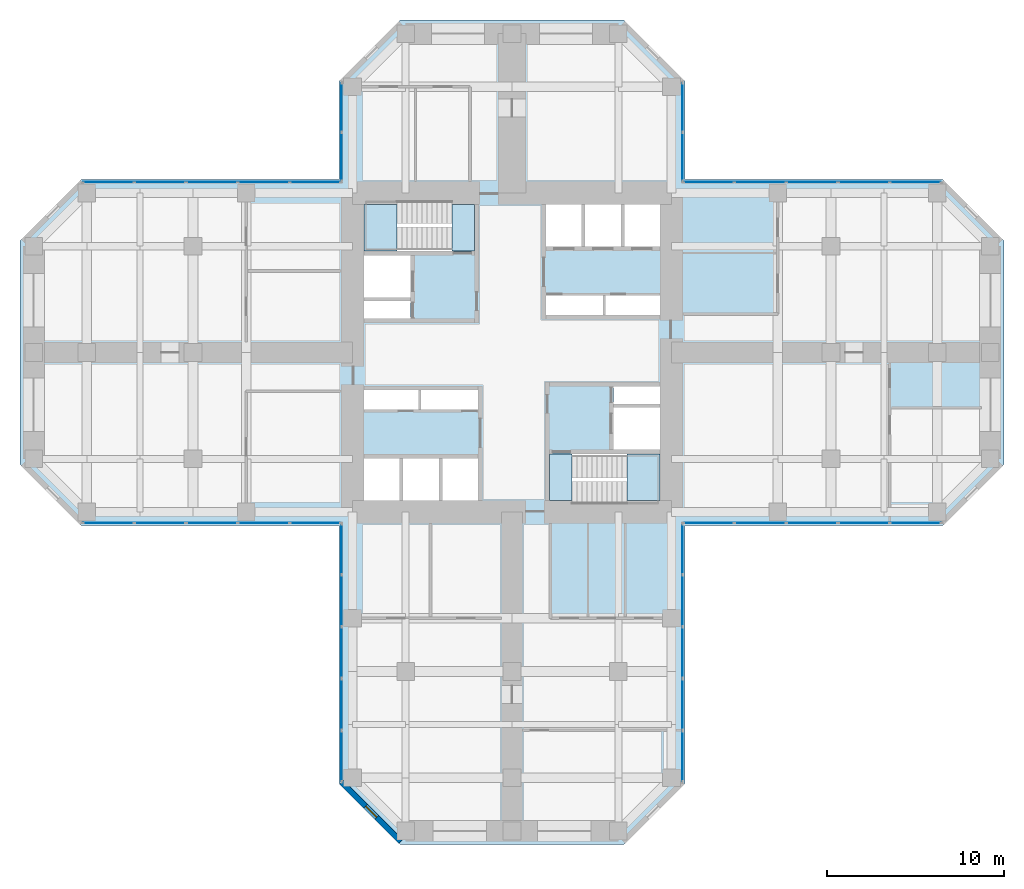
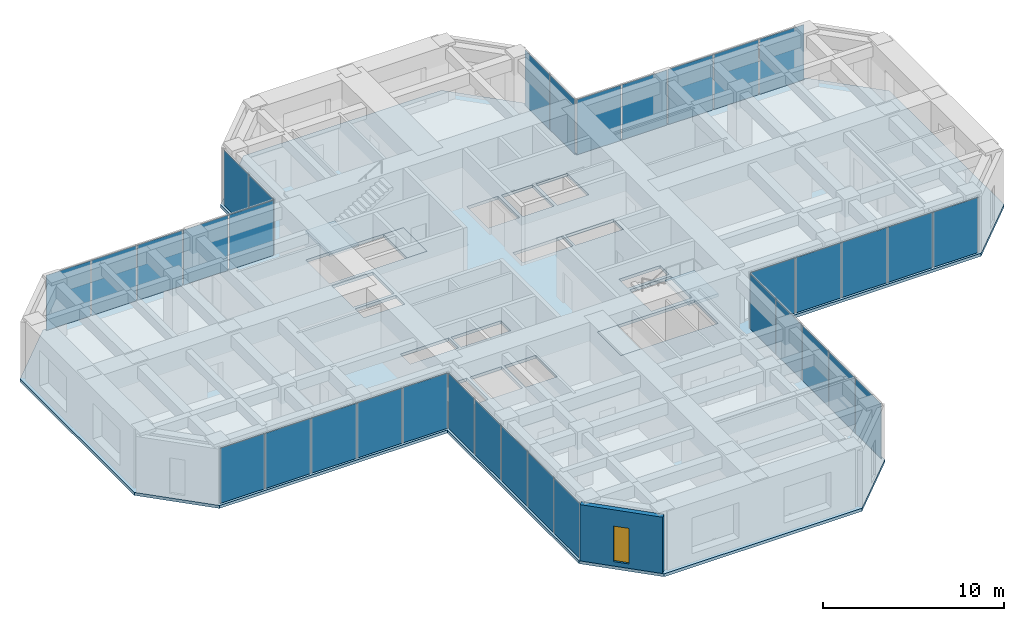
# One storey, part 7 of 12: 34 plates, 5 slabs, 1 wall, 1 window, 1 opening, 10 elements without a shape of their own.
"""IFC4 building model written with IfcOpenShell, lengths in metres."""

from ifc_helpers import new_model, si_unit, direction, frame, frame_2d, origin, origin_2d, place, context, subcontext, project, spatial, polyline, rectangle, hollow_rectangle, outline, extrude, material, layer, layer_set, constituent, constituent_set, type_object, element, fill, aggregate, save


model = new_model("IFC4")

# Units and contexts
model_context = context("Model", 3, precision=1e-05, world=origin(), true_north=direction((0.0, 1.0)))
body_context = subcontext(model_context, "Body", "Model", "MODEL_VIEW")
ifc_project = project(units=[si_unit("LENGTHUNIT", "METRE"), si_unit("AREAUNIT", "SQUARE_METRE"), si_unit("VOLUMEUNIT", "CUBIC_METRE"), si_unit("PLANEANGLEUNIT", "RADIAN"), si_unit("MASSUNIT", "GRAM", prefix="KILO")], contexts=[model_context])

# Site, building, storey
site_placement = place(None, origin())
site = spatial("IfcSite", under=ifc_project, at=site_placement, CompositionType="ELEMENT")
building_placement = place(site_placement, origin())
building = spatial("IfcBuilding", under=site, at=building_placement, Name="Torre Cruceta", CompositionType="ELEMENT")
storey_placement = place(building_placement, frame((0.0, 0.0, 120.5)))
storey = spatial("IfcBuildingStorey", under=building, at=storey_placement, Name="L29", CompositionType="ELEMENT", Elevation=120.5)

# Curtain wall, plate
ifc_material_1 = material(Name="Aluminium unitised curtain wall", Category="aluminium")
curtain_wall_type = type_object("IfcCurtainWallType", Name="CURTAIN WALL CW-B OFFICE MID RISE", PredefinedType="USERDEFINED", material=ifc_material_1)
curtain_wall_1_placement = place(storey_placement, origin())
curtain_wall_1 = element("IfcCurtainWall", 1, at=curtain_wall_1_placement, inside=storey, type_object=curtain_wall_type, Name="CW-B L29 E side 00", ObjectType="UNITISED", PredefinedType="USERDEFINED")
ifc_material_2 = material(Name="Laminated insulating glass unit, low-iron clear", Category="glass")
ifc_material_3 = material(Name="Laminated insulating glass unit, diagonal frit 50 %", Category="glass")
ifc_layer_1 = layer(ifc_material_3, 0.031982421875)
ifc_layer_set_1 = layer_set([ifc_layer_1], Name="Laminated insulating glass unit, diagonal frit 50 %")
plate_type_1 = type_object("IfcPlateType", Name="CW-B OPERABLE VENT PANEL 32", PredefinedType="CURTAIN_PANEL", material=ifc_layer_set_1)
plate_1_placement = place(storey_placement, frame((16.9384765625, -9.6201171875, 0.010009765625), z_axis=(0.0, 0.0, 1.0), x_axis=(1.0, 0.0, 0.0)))
plate_1 = element("IfcPlate", 2, at=plate_1_placement, type_object=plate_type_1, material=ifc_material_2, Name="CW-B vent 3", PredefinedType="CURTAIN_PANEL", context=body_context, shape_type="SweptSolid", body=[
    extrude(rectangle(XDim=2.8623046875, YDim=0.031982421875, at=origin_2d()), origin(), (0.0, 0.0, 1.0), 3.72509765625),
])

curtain_wall_2_placement = place(storey_placement, origin())
curtain_wall_2 = element("IfcCurtainWall", 3, at=curtain_wall_2_placement, inside=storey, type_object=curtain_wall_type, Name="CW-B L29 E side 04", ObjectType="UNITISED", PredefinedType="USERDEFINED")
plate_2_placement = place(storey_placement, frame((16.9384765625, 9.6201171875, 0.010009765625), z_axis=(0.0, 0.0, 1.0), x_axis=(-1.0, 0.0, 0.0)))
plate_2 = element("IfcPlate", 4, at=plate_2_placement, type_object=plate_type_1, material=ifc_material_2, Name="CW-B vent 3", PredefinedType="CURTAIN_PANEL", context=body_context, shape_type="SweptSolid", body=[
    extrude(rectangle(XDim=2.8623046875, YDim=0.031982421875, at=origin_2d()), origin(), (0.0, 0.0, 1.0), 3.72509765625),
])

curtain_wall_3_placement = place(storey_placement, origin())
curtain_wall_3 = element("IfcCurtainWall", 5, at=curtain_wall_3_placement, inside=storey, type_object=curtain_wall_type, Name="CW-B L29 W side 10", ObjectType="UNITISED", PredefinedType="USERDEFINED")
plate_3_placement = place(storey_placement, frame((-16.9384765625, 9.6201171875, 0.010009765625), z_axis=(0.0, 0.0, 1.0), x_axis=(-1.0, 0.0, 0.0)))
plate_3 = element("IfcPlate", 6, at=plate_3_placement, type_object=plate_type_1, material=ifc_material_2, Name="CW-B vent 3", PredefinedType="CURTAIN_PANEL", context=body_context, shape_type="SweptSolid", body=[
    extrude(rectangle(XDim=2.8623046875, YDim=0.031982421875, at=origin_2d()), origin(), (0.0, 0.0, 1.0), 3.72509765625),
])

curtain_wall_4_placement = place(storey_placement, origin())
curtain_wall_4 = element("IfcCurtainWall", 7, at=curtain_wall_4_placement, inside=storey, type_object=curtain_wall_type, Name="CW-B L29 W side 14", ObjectType="UNITISED", PredefinedType="USERDEFINED")
plate_4_placement = place(storey_placement, frame((-16.9384765625, -9.6201171875, 0.010009765625), z_axis=(0.0, 0.0, 1.0), x_axis=(1.0, 0.0, 0.0)))
plate_4 = element("IfcPlate", 8, at=plate_4_placement, type_object=plate_type_1, material=ifc_material_2, Name="CW-B vent 3", PredefinedType="CURTAIN_PANEL", context=body_context, shape_type="SweptSolid", body=[
    extrude(rectangle(XDim=2.8623046875, YDim=0.031982421875, at=origin_2d()), origin(), (0.0, 0.0, 1.0), 3.72509765625),
])

curtain_wall_5_placement = place(storey_placement, origin())
curtain_wall_5 = element("IfcCurtainWall", 9, at=curtain_wall_5_placement, inside=storey, type_object=curtain_wall_type, Name="CW-B L29 S side 15", ObjectType="UNITISED", PredefinedType="USERDEFINED")
plate_5_placement = place(storey_placement, frame((-9.6201171875, -16.9384765625, 0.010009765625), z_axis=(0.0, 0.0, 1.0), x_axis=(0.0, -1.0, 0.0)))
plate_5 = element("IfcPlate", 10, at=plate_5_placement, type_object=plate_type_1, material=ifc_material_2, Name="CW-B vent 3", PredefinedType="CURTAIN_PANEL", context=body_context, shape_type="SweptSolid", body=[
    extrude(rectangle(XDim=2.8623046875, YDim=0.031982421875, at=origin_2d()), origin(), (0.0, 0.0, 1.0), 3.72509765625),
])

curtain_wall_6_placement = place(storey_placement, origin())
curtain_wall_6 = element("IfcCurtainWall", 11, at=curtain_wall_6_placement, inside=storey, type_object=curtain_wall_type, Name="CW-B L29 S side 19", ObjectType="UNITISED", PredefinedType="USERDEFINED")
plate_6_placement = place(storey_placement, frame((9.6201171875, -16.9384765625, 0.010009765625), z_axis=(0.0, 0.0, 1.0), x_axis=(0.0, 1.0, 0.0)))
plate_6 = element("IfcPlate", 12, at=plate_6_placement, type_object=plate_type_1, material=ifc_material_2, Name="CW-B vent 3", PredefinedType="CURTAIN_PANEL", context=body_context, shape_type="SweptSolid", body=[
    extrude(rectangle(XDim=2.8623046875, YDim=0.031982421875, at=origin_2d()), origin(), (0.0, 0.0, 1.0), 3.72509765625),
])

# Plate
ifc_material_4 = material(Name="Laminated insulating glass unit, diagonal frit 50 %", Category="glass")
ifc_material_5 = material(Name="Laminated insulating glass unit, diagonal frit 50 %", Category="glass")
ifc_layer_2 = layer(ifc_material_5, 0.031982421875)
ifc_layer_set_2 = layer_set([ifc_layer_2], Name="Laminated insulating glass unit, diagonal frit 50 %")
plate_type_2 = type_object("IfcPlateType", Name="CW-B PANEL 32", PredefinedType="CURTAIN_PANEL", material=ifc_layer_set_2)
plate_7_placement = place(storey_placement, frame((11.099853515625, -9.6201171875, 0.010009765625), z_axis=(0.0, 0.0, 1.0), x_axis=(1.0, 0.0, 0.0)))
plate_7 = element("IfcPlate", 13, at=plate_7_placement, type_object=plate_type_2, material=ifc_material_4, Name="CW-B panel 1", PredefinedType="CURTAIN_PANEL", context=body_context, shape_type="SweptSolid", body=[
    extrude(rectangle(XDim=2.829833984375, YDim=0.031982421875, at=origin_2d()), origin(), (0.0, 0.0, 1.0), 3.72509765625),
])

plate_8_placement = place(storey_placement, frame((14.010986328125, -9.6201171875, 0.010009765625), z_axis=(0.0, 0.0, 1.0), x_axis=(1.0, 0.0, 0.0)))
plate_8 = element("IfcPlate", 14, at=plate_8_placement, type_object=plate_type_2, material=ifc_material_2, Name="CW-B panel 2", PredefinedType="CURTAIN_PANEL", context=body_context, shape_type="SweptSolid", body=[
    extrude(rectangle(XDim=2.8623046875, YDim=0.031982421875, at=origin_2d()), origin(), (0.0, 0.0, 1.0), 3.72509765625),
])

plate_9_placement = place(storey_placement, frame((19.86572265625, -9.6201171875, 0.010009765625), z_axis=(0.0, 0.0, 1.0), x_axis=(1.0, 0.0, 0.0)))
plate_9 = element("IfcPlate", 15, at=plate_9_placement, type_object=plate_type_2, material=ifc_material_4, Name="CW-B panel 4", PredefinedType="CURTAIN_PANEL", context=body_context, shape_type="SweptSolid", body=[
    extrude(rectangle(XDim=2.8623046875, YDim=0.031982421875, at=origin_2d()), origin(), (0.0, 0.0, 1.0), 3.72509765625),
])

plate_10_placement = place(storey_placement, frame((22.77685546875, -9.6201171875, 0.010009765625), z_axis=(0.0, 0.0, 1.0), x_axis=(1.0, 0.0, 0.0)))
plate_10 = element("IfcPlate", 16, at=plate_10_placement, type_object=plate_type_2, material=ifc_material_4, Name="CW-B panel 5", PredefinedType="CURTAIN_PANEL", context=body_context, shape_type="SweptSolid", body=[
    extrude(rectangle(XDim=2.829833984375, YDim=0.031982421875, at=origin_2d()), origin(), (0.0, 0.0, 1.0), 3.72509765625),
])

aggregate(curtain_wall_1, [plate_7, plate_8, plate_1, plate_9, plate_10])

plate_11_placement = place(storey_placement, frame((22.77685546875, 9.6201171875, 0.010009765625), z_axis=(0.0, 0.0, 1.0), x_axis=(-1.0, 0.0, 0.0)))
plate_11 = element("IfcPlate", 17, at=plate_11_placement, type_object=plate_type_2, material=ifc_material_4, Name="CW-B panel 1", PredefinedType="CURTAIN_PANEL", context=body_context, shape_type="SweptSolid", body=[
    extrude(rectangle(XDim=2.829833984375, YDim=0.031982421875, at=origin_2d()), origin(), (0.0, 0.0, 1.0), 3.72509765625),
])

plate_12_placement = place(storey_placement, frame((19.86572265625, 9.6201171875, 0.010009765625), z_axis=(0.0, 0.0, 1.0), x_axis=(-1.0, 0.0, 0.0)))
plate_12 = element("IfcPlate", 18, at=plate_12_placement, type_object=plate_type_2, material=ifc_material_2, Name="CW-B panel 2", PredefinedType="CURTAIN_PANEL", context=body_context, shape_type="SweptSolid", body=[
    extrude(rectangle(XDim=2.8623046875, YDim=0.031982421875, at=origin_2d()), origin(), (0.0, 0.0, 1.0), 3.72509765625),
])

plate_13_placement = place(storey_placement, frame((14.010986328125, 9.6201171875, 0.010009765625), z_axis=(0.0, 0.0, 1.0), x_axis=(-1.0, 0.0, 0.0)))
plate_13 = element("IfcPlate", 19, at=plate_13_placement, type_object=plate_type_2, material=ifc_material_4, Name="CW-B panel 4", PredefinedType="CURTAIN_PANEL", context=body_context, shape_type="SweptSolid", body=[
    extrude(rectangle(XDim=2.8623046875, YDim=0.031982421875, at=origin_2d()), origin(), (0.0, 0.0, 1.0), 3.72509765625),
])

plate_14_placement = place(storey_placement, frame((11.099853515625, 9.6201171875, 0.010009765625), z_axis=(0.0, 0.0, 1.0), x_axis=(-1.0, 0.0, 0.0)))
plate_14 = element("IfcPlate", 20, at=plate_14_placement, type_object=plate_type_2, material=ifc_material_4, Name="CW-B panel 5", PredefinedType="CURTAIN_PANEL", context=body_context, shape_type="SweptSolid", body=[
    extrude(rectangle(XDim=2.829833984375, YDim=0.031982421875, at=origin_2d()), origin(), (0.0, 0.0, 1.0), 3.72509765625),
])

aggregate(curtain_wall_2, [plate_11, plate_12, plate_2, plate_13, plate_14])

# Curtain wall, plates
curtain_wall_7_placement = place(storey_placement, origin())
curtain_wall_7 = element("IfcCurtainWall", 21, at=curtain_wall_7_placement, inside=storey, type_object=curtain_wall_type, Name="CW-B L29 N side 05", ObjectType="UNITISED", PredefinedType="USERDEFINED")
plate_15_placement = place(storey_placement, frame((9.6201171875, 11.04541015625, 0.010009765625), z_axis=(0.0, 0.0, 1.0), x_axis=(0.0, 1.0, 0.0)))
plate_15 = element("IfcPlate", 22, at=plate_15_placement, type_object=plate_type_2, material=ifc_material_4, Name="CW-B panel 1", PredefinedType="CURTAIN_PANEL", context=body_context, shape_type="SweptSolid", body=[
    extrude(rectangle(XDim=2.720947265625, YDim=0.031982421875, at=origin_2d()), origin(), (0.0, 0.0, 1.0), 3.72509765625),
])
plate_16_placement = place(storey_placement, frame((9.6201171875, 13.831298828125, 0.010009765625), z_axis=(0.0, 0.0, 1.0), x_axis=(0.0, 1.0, 0.0)))
plate_16 = element("IfcPlate", 23, at=plate_16_placement, type_object=plate_type_2, material=ifc_material_2, Name="CW-B panel 2", PredefinedType="CURTAIN_PANEL", context=body_context, shape_type="SweptSolid", body=[
    extrude(rectangle(XDim=2.720947265625, YDim=0.031982421875, at=origin_2d()), origin(), (0.0, 0.0, 1.0), 3.72509765625),
])
aggregate(curtain_wall_7, [plate_15, plate_16])

curtain_wall_8_placement = place(storey_placement, origin())
curtain_wall_8 = element("IfcCurtainWall", 24, at=curtain_wall_8_placement, inside=storey, type_object=curtain_wall_type, Name="CW-B L29 N side 09", ObjectType="UNITISED", PredefinedType="USERDEFINED")
plate_17_placement = place(storey_placement, frame((-9.6201171875, 13.831298828125, 0.010009765625), z_axis=(0.0, 0.0, 1.0), x_axis=(0.0, -1.0, 0.0)))
plate_17 = element("IfcPlate", 25, at=plate_17_placement, type_object=plate_type_2, material=ifc_material_4, Name="CW-B panel 1", PredefinedType="CURTAIN_PANEL", context=body_context, shape_type="SweptSolid", body=[
    extrude(rectangle(XDim=2.720947265625, YDim=0.031982421875, at=origin_2d()), origin(), (0.0, 0.0, 1.0), 3.72509765625),
])
plate_18_placement = place(storey_placement, frame((-9.6201171875, 11.04541015625, 0.010009765625), z_axis=(0.0, 0.0, 1.0), x_axis=(0.0, -1.0, 0.0)))
plate_18 = element("IfcPlate", 26, at=plate_18_placement, type_object=plate_type_2, material=ifc_material_2, Name="CW-B panel 2", PredefinedType="CURTAIN_PANEL", context=body_context, shape_type="SweptSolid", body=[
    extrude(rectangle(XDim=2.720947265625, YDim=0.031982421875, at=origin_2d()), origin(), (0.0, 0.0, 1.0), 3.72509765625),
])
aggregate(curtain_wall_8, [plate_17, plate_18])

# Plate
plate_19_placement = place(storey_placement, frame((-11.099853515625, 9.6201171875, 0.010009765625), z_axis=(0.0, 0.0, 1.0), x_axis=(-1.0, 0.0, 0.0)))
plate_19 = element("IfcPlate", 27, at=plate_19_placement, type_object=plate_type_2, material=ifc_material_4, Name="CW-B panel 1", PredefinedType="CURTAIN_PANEL", context=body_context, shape_type="SweptSolid", body=[
    extrude(rectangle(XDim=2.829833984375, YDim=0.031982421875, at=origin_2d()), origin(), (0.0, 0.0, 1.0), 3.72509765625),
])

plate_20_placement = place(storey_placement, frame((-14.010986328125, 9.6201171875, 0.010009765625), z_axis=(0.0, 0.0, 1.0), x_axis=(-1.0, 0.0, 0.0)))
plate_20 = element("IfcPlate", 28, at=plate_20_placement, type_object=plate_type_2, material=ifc_material_2, Name="CW-B panel 2", PredefinedType="CURTAIN_PANEL", context=body_context, shape_type="SweptSolid", body=[
    extrude(rectangle(XDim=2.8623046875, YDim=0.031982421875, at=origin_2d()), origin(), (0.0, 0.0, 1.0), 3.72509765625),
])

plate_21_placement = place(storey_placement, frame((-19.86572265625, 9.6201171875, 0.010009765625), z_axis=(0.0, 0.0, 1.0), x_axis=(-1.0, 0.0, 0.0)))
plate_21 = element("IfcPlate", 29, at=plate_21_placement, type_object=plate_type_2, material=ifc_material_4, Name="CW-B panel 4", PredefinedType="CURTAIN_PANEL", context=body_context, shape_type="SweptSolid", body=[
    extrude(rectangle(XDim=2.8623046875, YDim=0.031982421875, at=origin_2d()), origin(), (0.0, 0.0, 1.0), 3.72509765625),
])

plate_22_placement = place(storey_placement, frame((-22.77685546875, 9.6201171875, 0.010009765625), z_axis=(0.0, 0.0, 1.0), x_axis=(-1.0, 0.0, 0.0)))
plate_22 = element("IfcPlate", 30, at=plate_22_placement, type_object=plate_type_2, material=ifc_material_4, Name="CW-B panel 5", PredefinedType="CURTAIN_PANEL", context=body_context, shape_type="SweptSolid", body=[
    extrude(rectangle(XDim=2.829833984375, YDim=0.031982421875, at=origin_2d()), origin(), (0.0, 0.0, 1.0), 3.72509765625),
])

aggregate(curtain_wall_3, [plate_19, plate_20, plate_3, plate_21, plate_22])

plate_23_placement = place(storey_placement, frame((-22.77685546875, -9.6201171875, 0.010009765625), z_axis=(0.0, 0.0, 1.0), x_axis=(1.0, 0.0, 0.0)))
plate_23 = element("IfcPlate", 31, at=plate_23_placement, type_object=plate_type_2, material=ifc_material_4, Name="CW-B panel 1", PredefinedType="CURTAIN_PANEL", context=body_context, shape_type="SweptSolid", body=[
    extrude(rectangle(XDim=2.829833984375, YDim=0.031982421875, at=origin_2d()), origin(), (0.0, 0.0, 1.0), 3.72509765625),
])

plate_24_placement = place(storey_placement, frame((-19.86572265625, -9.6201171875, 0.010009765625), z_axis=(0.0, 0.0, 1.0), x_axis=(1.0, 0.0, 0.0)))
plate_24 = element("IfcPlate", 32, at=plate_24_placement, type_object=plate_type_2, material=ifc_material_2, Name="CW-B panel 2", PredefinedType="CURTAIN_PANEL", context=body_context, shape_type="SweptSolid", body=[
    extrude(rectangle(XDim=2.8623046875, YDim=0.031982421875, at=origin_2d()), origin(), (0.0, 0.0, 1.0), 3.72509765625),
])

plate_25_placement = place(storey_placement, frame((-14.010986328125, -9.6201171875, 0.010009765625), z_axis=(0.0, 0.0, 1.0), x_axis=(1.0, 0.0, 0.0)))
plate_25 = element("IfcPlate", 33, at=plate_25_placement, type_object=plate_type_2, material=ifc_material_4, Name="CW-B panel 4", PredefinedType="CURTAIN_PANEL", context=body_context, shape_type="SweptSolid", body=[
    extrude(rectangle(XDim=2.8623046875, YDim=0.031982421875, at=origin_2d()), origin(), (0.0, 0.0, 1.0), 3.72509765625),
])

plate_26_placement = place(storey_placement, frame((-11.099853515625, -9.6201171875, 0.010009765625), z_axis=(0.0, 0.0, 1.0), x_axis=(1.0, 0.0, 0.0)))
plate_26 = element("IfcPlate", 34, at=plate_26_placement, type_object=plate_type_2, material=ifc_material_4, Name="CW-B panel 5", PredefinedType="CURTAIN_PANEL", context=body_context, shape_type="SweptSolid", body=[
    extrude(rectangle(XDim=2.829833984375, YDim=0.031982421875, at=origin_2d()), origin(), (0.0, 0.0, 1.0), 3.72509765625),
])

aggregate(curtain_wall_4, [plate_23, plate_24, plate_4, plate_25, plate_26])

plate_27_placement = place(storey_placement, frame((-9.6201171875, -11.099853515625, 0.010009765625), z_axis=(0.0, 0.0, 1.0), x_axis=(0.0, -1.0, 0.0)))
plate_27 = element("IfcPlate", 35, at=plate_27_placement, type_object=plate_type_2, material=ifc_material_4, Name="CW-B panel 1", PredefinedType="CURTAIN_PANEL", context=body_context, shape_type="SweptSolid", body=[
    extrude(rectangle(XDim=2.829833984375, YDim=0.031982421875, at=origin_2d()), origin(), (0.0, 0.0, 1.0), 3.72509765625),
])

plate_28_placement = place(storey_placement, frame((-9.6201171875, -14.010986328125, 0.010009765625), z_axis=(0.0, 0.0, 1.0), x_axis=(0.0, -1.0, 0.0)))
plate_28 = element("IfcPlate", 36, at=plate_28_placement, type_object=plate_type_2, material=ifc_material_2, Name="CW-B panel 2", PredefinedType="CURTAIN_PANEL", context=body_context, shape_type="SweptSolid", body=[
    extrude(rectangle(XDim=2.8623046875, YDim=0.031982421875, at=origin_2d()), origin(), (0.0, 0.0, 1.0), 3.72509765625),
])

plate_29_placement = place(storey_placement, frame((-9.6201171875, -19.86572265625, 0.010009765625), z_axis=(0.0, 0.0, 1.0), x_axis=(0.0, -1.0, 0.0)))
plate_29 = element("IfcPlate", 37, at=plate_29_placement, type_object=plate_type_2, material=ifc_material_4, Name="CW-B panel 4", PredefinedType="CURTAIN_PANEL", context=body_context, shape_type="SweptSolid", body=[
    extrude(rectangle(XDim=2.8623046875, YDim=0.031982421875, at=origin_2d()), origin(), (0.0, 0.0, 1.0), 3.72509765625),
])

plate_30_placement = place(storey_placement, frame((-9.6201171875, -22.77685546875, 0.010009765625), z_axis=(0.0, 0.0, 1.0), x_axis=(0.0, -1.0, 0.0)))
plate_30 = element("IfcPlate", 38, at=plate_30_placement, type_object=plate_type_2, material=ifc_material_4, Name="CW-B panel 5", PredefinedType="CURTAIN_PANEL", context=body_context, shape_type="SweptSolid", body=[
    extrude(rectangle(XDim=2.829833984375, YDim=0.031982421875, at=origin_2d()), origin(), (0.0, 0.0, 1.0), 3.72509765625),
])

aggregate(curtain_wall_5, [plate_27, plate_28, plate_5, plate_29, plate_30])

plate_31_placement = place(storey_placement, frame((9.6201171875, -22.77685546875, 0.010009765625), z_axis=(0.0, 0.0, 1.0), x_axis=(0.0, 1.0, 0.0)))
plate_31 = element("IfcPlate", 39, at=plate_31_placement, type_object=plate_type_2, material=ifc_material_4, Name="CW-B panel 1", PredefinedType="CURTAIN_PANEL", context=body_context, shape_type="SweptSolid", body=[
    extrude(rectangle(XDim=2.829833984375, YDim=0.031982421875, at=origin_2d()), origin(), (0.0, 0.0, 1.0), 3.72509765625),
])

plate_32_placement = place(storey_placement, frame((9.6201171875, -19.86572265625, 0.010009765625), z_axis=(0.0, 0.0, 1.0), x_axis=(0.0, 1.0, 0.0)))
plate_32 = element("IfcPlate", 40, at=plate_32_placement, type_object=plate_type_2, material=ifc_material_2, Name="CW-B panel 2", PredefinedType="CURTAIN_PANEL", context=body_context, shape_type="SweptSolid", body=[
    extrude(rectangle(XDim=2.8623046875, YDim=0.031982421875, at=origin_2d()), origin(), (0.0, 0.0, 1.0), 3.72509765625),
])

plate_33_placement = place(storey_placement, frame((9.6201171875, -14.010986328125, 0.010009765625), z_axis=(0.0, 0.0, 1.0), x_axis=(0.0, 1.0, 0.0)))
plate_33 = element("IfcPlate", 41, at=plate_33_placement, type_object=plate_type_2, material=ifc_material_4, Name="CW-B panel 4", PredefinedType="CURTAIN_PANEL", context=body_context, shape_type="SweptSolid", body=[
    extrude(rectangle(XDim=2.8623046875, YDim=0.031982421875, at=origin_2d()), origin(), (0.0, 0.0, 1.0), 3.72509765625),
])

plate_34_placement = place(storey_placement, frame((9.6201171875, -11.099853515625, 0.010009765625), z_axis=(0.0, 0.0, 1.0), x_axis=(0.0, 1.0, 0.0)))
plate_34 = element("IfcPlate", 42, at=plate_34_placement, type_object=plate_type_2, material=ifc_material_4, Name="CW-B panel 5", PredefinedType="CURTAIN_PANEL", context=body_context, shape_type="SweptSolid", body=[
    extrude(rectangle(XDim=2.829833984375, YDim=0.031982421875, at=origin_2d()), origin(), (0.0, 0.0, 1.0), 3.72509765625),
])

aggregate(curtain_wall_6, [plate_31, plate_32, plate_6, plate_33, plate_34])

# Slab
ifc_material_6 = material(Name="Concrete G35 (fck 35 MPa)", Category="concrete")
ifc_layer_3 = layer(ifc_material_6, 0.199951171875)
ifc_layer_set_3 = layer_set([ifc_layer_3], Name="Concrete G35 (fck 35 MPa)")
slab_type_1 = type_object("IfcSlabType", Name="FLOOR SLAB 200", PredefinedType="FLOOR", material=ifc_layer_set_3)
slab_1_placement = place(storey_placement, frame((0.0, 0.0, -0.199951171875)))
element("IfcSlab", 43, at=slab_1_placement, inside=storey, type_object=slab_type_1, Name="Floor Slab L29", PredefinedType="FLOOR", context=body_context, shape_type="SweptSolid", body=[
    extrude(outline(polyline([(9.77001953125, -9.77001953125), (9.77001953125, -24.31884765625), (6.31884765625, -27.77001953125), (-6.31884765625, -27.77001953125), (-9.77001953125, -24.31884765625), (-9.77001953125, -9.77001953125), (-24.31884765625, -9.77001953125), (-27.77001953125, -6.31884765625), (-27.77001953125, 6.31884765625), (-24.31884765625, 9.77001953125), (-9.77001953125, 9.77001953125), (-9.77001953125, 15.31884765625), (-6.31884765625, 18.77001953125), (6.31884765625, 18.77001953125), (9.77001953125, 15.31884765625), (9.77001953125, 9.77001953125), (24.31884765625, 9.77001953125), (27.77001953125, 6.31884765625), (27.77001953125, -6.31884765625), (24.31884765625, -9.77001953125), (9.77001953125, -9.77001953125)]), holes=[polyline([(1.925048828125, 5.97509765625), (3.933349609375, 5.97509765625), (3.933349609375, 8.35009765625), (1.925048828125, 8.35009765625), (1.925048828125, 5.97509765625)]), polyline([(4.13330078125, 5.97509765625), (6.1416015625, 5.97509765625), (6.1416015625, 8.35009765625), (4.13330078125, 8.35009765625), (4.13330078125, 5.97509765625)]), polyline([(6.341552734375, 5.97509765625), (8.35009765625, 5.97509765625), (8.35009765625, 8.35009765625), (6.341552734375, 8.35009765625), (6.341552734375, 5.97509765625)]), polyline([(1.925048828125, 2.125), (5.125, 2.125), (5.125, 3.22509765625), (1.925048828125, 3.22509765625), (1.925048828125, 2.125)]), polyline([(5.27490234375, 2.125), (8.35009765625, 2.125), (8.35009765625, 3.22509765625), (5.27490234375, 3.22509765625), (5.27490234375, 2.125)]), polyline([(-8.35009765625, 3.10009765625), (-5.72509765625, 3.10009765625), (-5.72509765625, 5.47509765625), (-8.35009765625, 5.47509765625), (-8.35009765625, 3.10009765625)]), polyline([(-8.35009765625, 1.925048828125), (-5.72509765625, 1.925048828125), (-5.72509765625, 2.89990234375), (-8.35009765625, 2.89990234375), (-8.35009765625, 1.925048828125)]), polyline([(-3.933349609375, -8.35009765625), (-1.925048828125, -8.35009765625), (-1.925048828125, -5.97509765625), (-3.933349609375, -5.97509765625), (-3.933349609375, -8.35009765625)]), polyline([(-6.1416015625, -8.35009765625), (-4.13330078125, -8.35009765625), (-4.13330078125, -5.97509765625), (-6.1416015625, -5.97509765625), (-6.1416015625, -8.35009765625)]), polyline([(-8.35009765625, -8.35009765625), (-6.341552734375, -8.35009765625), (-6.341552734375, -5.97509765625), (-8.35009765625, -5.97509765625), (-8.35009765625, -8.35009765625)]), polyline([(-5.125, -3.22509765625), (-1.925048828125, -3.22509765625), (-1.925048828125, -2.125), (-5.125, -2.125), (-5.125, -3.22509765625)]), polyline([(-8.35009765625, -3.22509765625), (-5.27490234375, -3.22509765625), (-5.27490234375, -2.125), (-8.35009765625, -2.125), (-8.35009765625, -3.22509765625)]), polyline([(5.72509765625, -5.47509765625), (8.35009765625, -5.47509765625), (8.35009765625, -3.10009765625), (5.72509765625, -3.10009765625), (5.72509765625, -5.47509765625)]), polyline([(5.72509765625, -2.89990234375), (8.35009765625, -2.89990234375), (8.35009765625, -1.925048828125), (5.72509765625, -1.925048828125), (5.72509765625, -2.89990234375)]), polyline([(-8.35009765625, 5.72509765625), (-8.35009765625, 8.35009765625), (-3.39990234375, 8.35009765625), (-2.125, 8.35009765625), (-2.125, 5.72509765625), (-3.39990234375, 5.72509765625), (-8.35009765625, 5.72509765625)]), polyline([(2.125, -5.72509765625), (3.39990234375, -5.72509765625), (8.35009765625, -5.72509765625), (8.35009765625, -8.35009765625), (3.39990234375, -8.35009765625), (2.125, -8.35009765625), (2.125, -5.72509765625)])]), origin(), (0.0, 0.0, 1.0), 0.199951171875),
])

# Stair, slab
ifc_material_7 = material(Name="Concrete G30 (fck 30 MPa)", Category="concrete")
stair_type = type_object("IfcStairType", Name="STAIR HALF-TURN 1300", PredefinedType="HALF_TURN_STAIR", material=ifc_material_7)
stair_1_placement = place(storey_placement, origin())
stair_1 = element("IfcStair", 44, at=stair_1_placement, inside=storey, type_object=stair_type, Name="Stair ST1 L29", PredefinedType="HALF_TURN_STAIR")
ifc_material_8 = material(Name="Concrete G30 (fck 30 MPa)", Category="concrete")
ifc_layer_4 = layer(ifc_material_8, 0.199951171875)
ifc_layer_set_4 = layer_set([ifc_layer_4], Name="Concrete G30 (fck 30 MPa)")
slab_type_2 = type_object("IfcSlabType", Name="STAIR LANDING 200", PredefinedType="LANDING", material=ifc_layer_set_4)
slab_2_placement = place(storey_placement, frame((0.0, 0.0, 1.800048828125)))
slab_2 = element("IfcSlab", 45, at=slab_2_placement, type_object=slab_type_2, Name="ST1 landing 1", PredefinedType="LANDING", context=body_context, shape_type="SweptSolid", body=[
    extrude(outline(polyline([(-8.35009765625, 5.72509765625), (-6.47998046875, 5.72509765625), (-6.47998046875, 8.35009765625), (-8.35009765625, 8.35009765625), (-8.35009765625, 5.72509765625)])), origin(), (0.0, 0.0, 1.0), 0.199951171875),
])
aggregate(stair_1, [slab_2])

stair_2_placement = place(storey_placement, origin())
stair_2 = element("IfcStair", 46, at=stair_2_placement, inside=storey, type_object=stair_type, Name="Stair ST2 L29", PredefinedType="HALF_TURN_STAIR")
slab_3_placement = place(storey_placement, frame((0.0, 0.0, 1.800048828125)))
slab_3 = element("IfcSlab", 47, at=slab_3_placement, type_object=slab_type_2, Name="ST2 landing 1", PredefinedType="LANDING", context=body_context, shape_type="SweptSolid", body=[
    extrude(outline(polyline([(6.47998046875, -8.35009765625), (8.35009765625, -8.35009765625), (8.35009765625, -5.72509765625), (6.47998046875, -5.72509765625), (6.47998046875, -8.35009765625)])), origin(), (0.0, 0.0, 1.0), 0.199951171875),
])
aggregate(stair_2, [slab_3])

# Slabs
slab_4_placement = place(storey_placement, frame((0.0, 0.0, -0.199951171875)))
element("IfcSlab", 48, at=slab_4_placement, inside=storey, type_object=slab_type_2, Name="Stair ST1 floor landing L29", PredefinedType="LANDING", context=body_context, shape_type="SweptSolid", body=[
    extrude(outline(polyline([(-2.125, 8.35009765625), (-2.125, 5.72509765625), (-3.39990234375, 5.72509765625), (-3.39990234375, 8.35009765625), (-2.125, 8.35009765625)])), origin(), (0.0, 0.0, 1.0), 0.199951171875),
])
slab_5_placement = place(storey_placement, frame((0.0, 0.0, -0.199951171875)))
element("IfcSlab", 49, at=slab_5_placement, inside=storey, type_object=slab_type_2, Name="Stair ST2 floor landing L29", PredefinedType="LANDING", context=body_context, shape_type="SweptSolid", body=[
    extrude(outline(polyline([(2.125, -8.35009765625), (2.125, -5.72509765625), (3.39990234375, -5.72509765625), (3.39990234375, -8.35009765625), (2.125, -8.35009765625)])), origin(), (0.0, 0.0, 1.0), 0.199951171875),
])

# Wall, opening, window
ifc_material_9 = material(Name="Concrete G30 (fck 30 MPa)", Category="concrete")
ifc_layer_5 = layer(ifc_material_9, 0.300048828125)
ifc_layer_set_5 = layer_set([ifc_layer_5], Name="Concrete G30 (fck 30 MPa)")
wall_type = type_object("IfcWallType", Name="EXPOSED CONCRETE FACADE WALL 300", PredefinedType="SOLIDWALL", material=ifc_layer_set_5)
wall_placement = place(storey_placement, frame((-9.6201171875, -24.2568359375, 0.0), z_axis=(0.0, 0.0, 1.0), x_axis=(0.707106781187, -0.707106781187, 0.0)))
wall = element("IfcWall", 50, at=wall_placement, inside=storey, type_object=wall_type, Name="EW1 facade wall L29 S chamfer 16", PredefinedType="SOLIDWALL", context=body_context, shape_type="SweptSolid", body=[
    extrude(rectangle(XDim=4.72802734375, YDim=0.300048828125, at=frame_2d((2.364013671875, 0.0))), origin(), (0.0, 0.0, 1.0), 3.800048828125),
])
opening_placement = place(wall_placement, frame((1.9140625, 0.0, 0.300048828125)))
opening = element("IfcOpeningElement", 51, at=opening_placement, cuts=wall, Name="Opening WN5", PredefinedType="OPENING", context=body_context, shape_type="SweptSolid", body=[
    extrude(rectangle(XDim=0.89990234375, YDim=2.39990234375, at=frame_2d((0.449951171875, 1.199951171875))), frame((0.0, 0.159912109375, 0.0), z_axis=(0.0, -1.0, 0.0), x_axis=(1.0, 0.0, 0.0)), (0.0, 0.0, 1.0), 0.320068359375),
])
ifc_material_10 = material(Name="Aluminium window frame", Category="aluminium")
ifc_constituent_1 = constituent(ifc_material_10, Name="Frame")
ifc_material_11 = material(Name="Laminated insulating glass unit, low-iron clear", Category="glass")
ifc_constituent_2 = constituent(ifc_material_11, Name="Glazing")
ifc_constituent_set = constituent_set(constituents=[ifc_constituent_1, ifc_constituent_2], Name="Aluminium window")
window_type = type_object("IfcWindowType", Name="CHAMFER SLOT WINDOW 900X2400", PartitioningType="SINGLE_PANEL", PredefinedType="WINDOW", material=ifc_constituent_set)
window_placement = place(opening_placement, origin())
window = element("IfcWindow", 52, at=window_placement, inside=storey, type_object=window_type, Name="WN5 L29 S 1", OverallHeight=2.39990234375, OverallWidth=0.89990234375, PartitioningType="SINGLE_PANEL", PredefinedType="WINDOW", context=body_context, shape_type="SweptSolid", body=[
    extrude(hollow_rectangle(XDim=0.89990234375, YDim=2.39990234375, WallThickness=0.06005859375, at=frame_2d((0.449951171875, 1.199951171875))), frame((0.0, 0.030029296875, 0.0), z_axis=(0.0, -1.0, 0.0), x_axis=(1.0, 0.0, 0.0)), (0.0, 0.0, 1.0), 0.06005859375),
    extrude(rectangle(XDim=0.77880859375, YDim=2.27880859375, at=frame_2d((0.449951171875, 1.199951171875))), frame((0.0, 0.030029296875, 0.0), z_axis=(0.0, -1.0, 0.0), x_axis=(1.0, 0.0, 0.0)), (0.0, 0.0, 1.0), 0.06005859375),
])
fill(opening, window)

save(model, "model.ifc")
